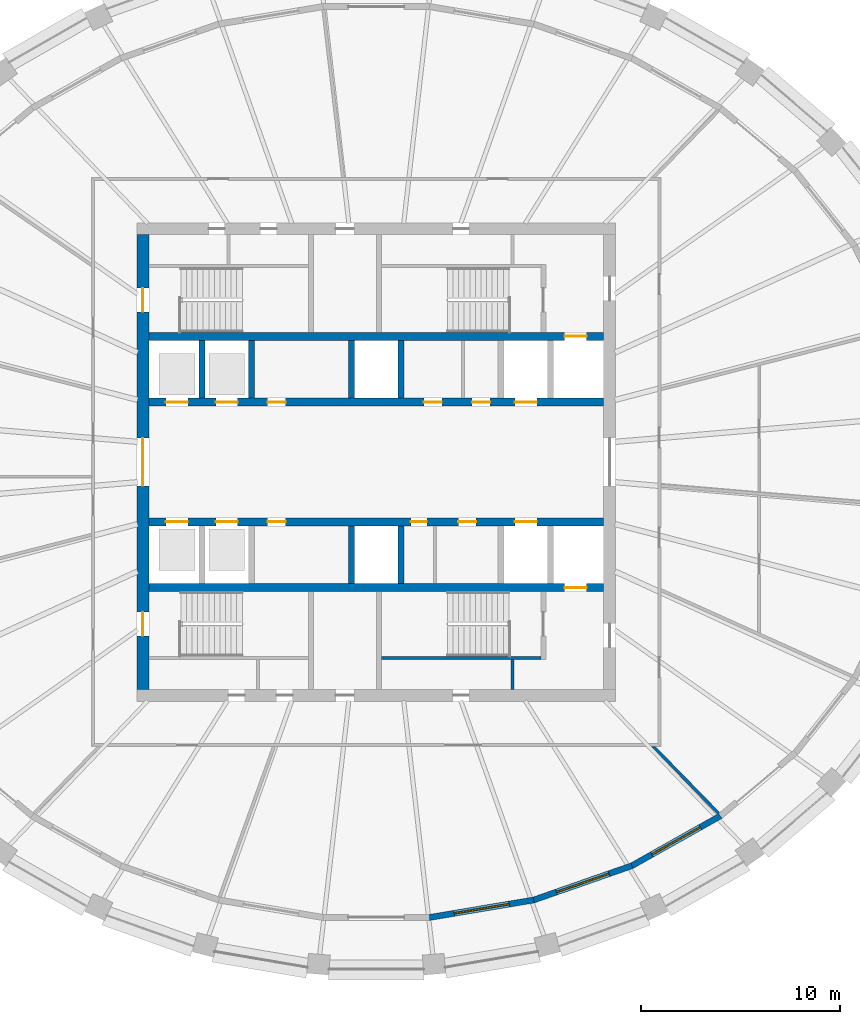
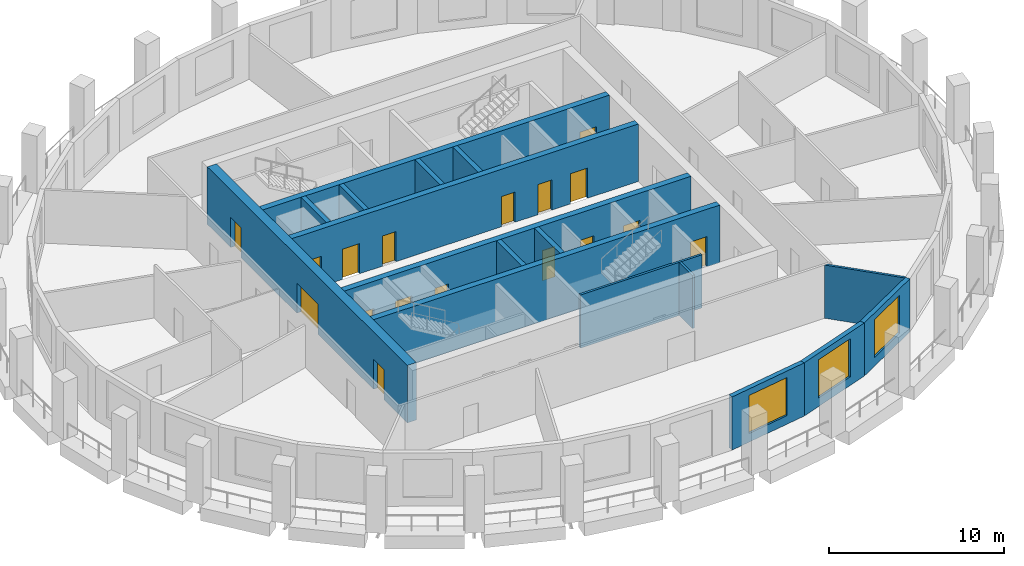
# One storey, part 4 of 10: 17 doors, 17 walls, 3 windows, 20 openings.
"""IFC4 building model written with IfcOpenShell, lengths in metres."""

from ifc_helpers import new_model, si_unit, direction, frame, frame_2d, origin, place, context, subcontext, project, spatial, polyline, rectangle, outline, extrude, material, layer, layer_set, type_object, element, fill, save


model = new_model("IFC4")

# Units and contexts
model_context = context("Model", 3, precision=1e-05, world=origin(), true_north=direction((0.0, 1.0)))
body_context = subcontext(model_context, "Body", "Model", "MODEL_VIEW")
ifc_project = project(units=[si_unit("LENGTHUNIT", "METRE"), si_unit("AREAUNIT", "SQUARE_METRE"), si_unit("VOLUMEUNIT", "CUBIC_METRE"), si_unit("PLANEANGLEUNIT", "RADIAN"), si_unit("MASSUNIT", "GRAM", prefix="KILO")], contexts=[model_context])

# Site, building, storey
site_placement = place(None, origin())
site = spatial("IfcSite", under=ifc_project, at=site_placement, CompositionType="ELEMENT")
building_placement = place(site_placement, origin())
building = spatial("IfcBuilding", under=site, at=building_placement, Name="Halqa Exchange Tower", CompositionType="ELEMENT")
storey_placement = place(building_placement, frame((0.0, 0.0, 276.300048828125)))
storey = spatial("IfcBuildingStorey", under=building, at=storey_placement, Name="L64", CompositionType="ELEMENT", Elevation=276.300048828125)

# Walls
ifc_material_1 = material(Name="Fire-rated gypsum board")
ifc_layer_1 = layer(ifc_material_1, 0.14990234375)
ifc_layer_set_1 = layer_set([ifc_layer_1], Name="Fire-rated gypsum board")
wall_type_1 = type_object("IfcWallType", Name="Fire partition EI 60 150", PredefinedType="PARTITIONING", material=ifc_layer_set_1)
wall_1_placement = place(storey_placement, frame((13.852294921875, -14.222900390625, 0.0), z_axis=(0.0, 0.0, 1.0), x_axis=(0.69820654799, -0.715896372629, 0.0)))
element("IfcWall", 1, at=wall_1_placement, inside=storey, type_object=wall_type_1, Name="L64-PWL-015", PredefinedType="PARTITIONING", context=body_context, shape_type="SweptSolid", body=[
    extrude(outline(polyline([(0.0, -0.074951171875), (1.577880859375, -0.074951171875), (3.156005859375, -0.074951171875), (4.73388671875, -0.074951171875), (4.73388671875, -0.07470703125), (4.73388671875, 0.074951171875), (3.20458984375, 0.074951171875), (1.67529296875, 0.074951171875), (0.14599609375, 0.074951171875), (0.0, -0.07470703125), (0.0, -0.074951171875)])), origin(), (0.0, 0.0, 1.0), 3.699951171875),
])
ifc_material_2 = material(Name="Gypsum board")
ifc_layer_2 = layer(ifc_material_2, 0.14990234375)
ifc_layer_set_2 = layer_set([ifc_layer_2], Name="Gypsum board")
wall_type_2 = type_object("IfcWallType", Name="Penthouse riser wall 150 gypsum", PredefinedType="PARTITIONING", material=ifc_layer_set_2)
wall_2_placement = place(storey_placement, frame((6.824951171875, -11.39990234375, 0.0), z_axis=(0.0, 0.0, 1.0), x_axis=(0.0, 1.0, 0.0)))
element("IfcWall", 2, at=wall_2_placement, inside=storey, type_object=wall_type_2, Name="Firefighting lobby west wall S", PredefinedType="PARTITIONING", context=body_context, shape_type="SweptSolid", body=[
    extrude(rectangle(XDim=1.5, YDim=0.14990234375, at=frame_2d((0.75, 0.0))), origin(), (0.0, 0.0, 1.0), 3.699951171875),
])
ifc_material_3 = material(Name="Concrete C60/75", Category="concrete")
ifc_layer_3 = layer(ifc_material_3, 0.300048828125)
ifc_layer_set_3 = layer_set([ifc_layer_3], Name="Concrete C60/75")
wall_type_3 = type_object("IfcWallType", Name="RC core wall 300", PredefinedType="SHEAR", material=ifc_layer_set_3)
for number, where, z_axis, x_axis, name in (
    (3, (-8.75, 3.199951171875, 0.0), (0.0, 0.0, 1.0), (0.0, 1.0, 0.0), "Shaft divider N1"),
    (4, (-6.25, 3.199951171875, 0.0), (0.0, 0.0, 1.0), (0.0, 1.0, 0.0), "Shaft divider N2"),
    (5, (-1.25, 3.199951171875, 0.0), (0.0, 0.0, 1.0), (0.0, 1.0, 0.0), "Shaft divider N4"),
    (6, (1.25, 3.199951171875, 0.0), (0.0, 0.0, 1.0), (0.0, 1.0, 0.0), "Shaft divider N5"),
    (7, (-1.25, -6.10009765625, 0.0), (0.0, 0.0, 1.0), (0.0, 1.0, 0.0), "Shaft divider S4"),
    (8, (1.25, -6.10009765625, 0.0), (0.0, 0.0, 1.0), (0.0, 1.0, 0.0), "Shaft divider S5"),
):
    element("IfcWall", number, at=place(storey_placement, frame(where, z_axis=z_axis, x_axis=x_axis)), inside=storey, type_object=wall_type_3, Name=name, PredefinedType="SHEAR", context=body_context, shape_type="SweptSolid", body=[
        extrude(rectangle(XDim=2.900146484375, YDim=0.300048828125, at=frame_2d((1.4501953125, 0.0))), origin(), (0.0, 0.0, 1.0), 4.0),
    ])

# Wall, openings, doors
ifc_layer_4 = layer(ifc_material_3, 0.39990234375)
ifc_layer_set_4 = layer_set([ifc_layer_4], Name="Concrete C60/75")
wall_type_4 = type_object("IfcWallType", Name="RC core wall 400 C60/75", PredefinedType="SHEAR", material=ifc_layer_set_4)
wall_3_placement = place(storey_placement, frame((-11.39990234375, 3.0, 0.0), z_axis=(0.0, 0.0, 1.0), x_axis=(1.0, 0.0, 0.0)))
wall_3 = element("IfcWall", 9, at=wall_3_placement, inside=storey, type_object=wall_type_4, Name="Lift row front wall N", PredefinedType="SHEAR", context=body_context, shape_type="SweptSolid", body=[
    extrude(rectangle(XDim=22.7998046875, YDim=0.39990234375, at=frame_2d((11.39990234375, 0.0))), origin(), (0.0, 0.0, 1.0), 4.0),
])
opening_1_placement = place(wall_3_placement, frame((0.85009765625, 0.0, 0.0)))
opening_1 = element("IfcOpeningElement", 10, at=opening_1_placement, cuts=wall_3, Name="Opening LD-HR1-T19", PredefinedType="OPENING", context=body_context, shape_type="SweptSolid", body=[
    extrude(rectangle(XDim=1.10009765625, YDim=2.10009765625, at=frame_2d((0.550048828125, 1.050048828125))), frame((0.0, 0.2119140625, 0.0), z_axis=(0.0, -1.0, 0.0), x_axis=(1.0, 0.0, 0.0)), (0.0, 0.0, 1.0), 0.423828125),
])
opening_2_placement = place(wall_3_placement, frame((3.35009765625, 0.0, 0.0)))
opening_2 = element("IfcOpeningElement", 11, at=opening_2_placement, cuts=wall_3, Name="Opening LD-HR2-T19", PredefinedType="OPENING", context=body_context, shape_type="SweptSolid", body=[
    extrude(rectangle(XDim=1.10009765625, YDim=2.10009765625, at=frame_2d((0.550048828125, 1.050048828125))), frame((0.0, 0.2119140625, 0.0), z_axis=(0.0, -1.0, 0.0), x_axis=(1.0, 0.0, 0.0)), (0.0, 0.0, 1.0), 0.423828125),
])
opening_3_placement = place(wall_3_placement, frame((18.35009765625, 0.0, 0.0)))
opening_3 = element("IfcOpeningElement", 12, at=opening_3_placement, cuts=wall_3, Name="Opening LD-SV1-T19", PredefinedType="OPENING", context=body_context, shape_type="SweptSolid", body=[
    extrude(rectangle(XDim=1.10009765625, YDim=2.10009765625, at=frame_2d((0.550048828125, 1.050048828125))), frame((0.0, 0.2119140625, 0.0), z_axis=(0.0, -1.0, 0.0), x_axis=(1.0, 0.0, 0.0)), (0.0, 0.0, 1.0), 0.423828125),
])
opening_4_placement = place(wall_3_placement, frame((13.78759765625, 0.0, 0.0)))
opening_4 = element("IfcOpeningElement", 13, at=opening_4_placement, cuts=wall_3, Name="Opening T19-C25", PredefinedType="OPENING", context=body_context, shape_type="SweptSolid", body=[
    extrude(rectangle(XDim=0.89990234375, YDim=2.10009765625, at=frame_2d((0.449951171875, 1.050048828125))), frame((0.0, 0.2119140625, 0.0), z_axis=(0.0, -1.0, 0.0), x_axis=(1.0, 0.0, 0.0)), (0.0, 0.0, 1.0), 0.423828125),
])
opening_5_placement = place(wall_3_placement, frame((16.21240234375, 0.0, 0.0)))
opening_5 = element("IfcOpeningElement", 14, at=opening_5_placement, cuts=wall_3, Name="Opening T19-C26", PredefinedType="OPENING", context=body_context, shape_type="SweptSolid", body=[
    extrude(rectangle(XDim=0.89990234375, YDim=2.10009765625, at=frame_2d((0.449951171875, 1.050048828125))), frame((0.0, 0.2119140625, 0.0), z_axis=(0.0, -1.0, 0.0), x_axis=(1.0, 0.0, 0.0)), (0.0, 0.0, 1.0), 0.423828125),
])
opening_6_placement = place(wall_3_placement, frame((5.949951171875, 0.0, 0.0)))
opening_6 = element("IfcOpeningElement", 15, at=opening_6_placement, cuts=wall_3, Name="Opening T19-C27", PredefinedType="OPENING", context=body_context, shape_type="SweptSolid", body=[
    extrude(rectangle(XDim=0.89990234375, YDim=2.10009765625, at=frame_2d((0.449951171875, 1.050048828125))), frame((0.0, 0.2119140625, 0.0), z_axis=(0.0, -1.0, 0.0), x_axis=(1.0, 0.0, 0.0)), (0.0, 0.0, 1.0), 0.423828125),
])
ifc_material_4 = material(Name="Timber fire door leaf", Category="wood")
door_type_1 = type_object("IfcDoorType", Name="Core room door FD30 900 x 2100", OperationType="SINGLE_SWING_LEFT", PredefinedType="DOOR", material=ifc_material_4)
door_1_placement = place(opening_4_placement, origin())
door_1 = element("IfcDoor", 16, at=door_1_placement, inside=storey, type_object=door_type_1, Name="Core room door", OperationType="SINGLE_SWING_LEFT", OverallHeight=2.10009765625, OverallWidth=0.89990234375, PredefinedType="DOOR", context=body_context, shape_type="SweptSolid", body=[
    extrude(rectangle(XDim=0.89990234375, YDim=2.10009765625, at=frame_2d((0.449951171875, 1.050048828125))), frame((0.0, 0.02490234375, 0.0), z_axis=(0.0, -1.0, 0.0), x_axis=(1.0, 0.0, 0.0)), (0.0, 0.0, 1.0), 0.050048828125),
])
fill(opening_4, door_1)
door_2_placement = place(opening_5_placement, origin())
door_2 = element("IfcDoor", 17, at=door_2_placement, inside=storey, type_object=door_type_1, Name="Core room door", OperationType="SINGLE_SWING_LEFT", OverallHeight=2.10009765625, OverallWidth=0.89990234375, PredefinedType="DOOR", context=body_context, shape_type="SweptSolid", body=[
    extrude(rectangle(XDim=0.89990234375, YDim=2.10009765625, at=frame_2d((0.449951171875, 1.050048828125))), frame((0.0, 0.02490234375, 0.0), z_axis=(0.0, -1.0, 0.0), x_axis=(1.0, 0.0, 0.0)), (0.0, 0.0, 1.0), 0.050048828125),
])
fill(opening_5, door_2)
door_3_placement = place(opening_6_placement, origin())
door_3 = element("IfcDoor", 18, at=door_3_placement, inside=storey, type_object=door_type_1, Name="Core room door", OperationType="SINGLE_SWING_RIGHT", OverallHeight=2.10009765625, OverallWidth=0.89990234375, PredefinedType="DOOR", context=body_context, shape_type="SweptSolid", body=[
    extrude(rectangle(XDim=0.89990234375, YDim=2.10009765625, at=frame_2d((0.449951171875, 1.050048828125))), frame((0.0, 0.02490234375, 0.0), z_axis=(0.0, -1.0, 0.0), x_axis=(1.0, 0.0, 0.0)), (0.0, 0.0, 1.0), 0.050048828125),
])
fill(opening_6, door_3)
ifc_material_5 = material(Name="Stainless steel", Category="steel")
door_type_2 = type_object("IfcDoorType", Name="Lift landing door 1100 x 2100", OperationType="SLIDING_TO_LEFT", PredefinedType="DOOR", material=ifc_material_5)
door_4_placement = place(opening_1_placement, origin())
door_4 = element("IfcDoor", 19, at=door_4_placement, inside=storey, type_object=door_type_2, Name="Lift landing door HR1", OperationType="SLIDING_TO_LEFT", OverallHeight=2.10009765625, OverallWidth=1.10009765625, PredefinedType="DOOR", context=body_context, shape_type="SweptSolid", body=[
    extrude(rectangle(XDim=1.10009765625, YDim=2.10009765625, at=frame_2d((0.550048828125, 1.050048828125))), frame((0.0, 0.02490234375, 0.0), z_axis=(0.0, -1.0, 0.0), x_axis=(1.0, 0.0, 0.0)), (0.0, 0.0, 1.0), 0.050048828125),
])
fill(opening_1, door_4)
door_5_placement = place(opening_2_placement, origin())
door_5 = element("IfcDoor", 20, at=door_5_placement, inside=storey, type_object=door_type_2, Name="Lift landing door HR2", OperationType="SLIDING_TO_LEFT", OverallHeight=2.10009765625, OverallWidth=1.10009765625, PredefinedType="DOOR", context=body_context, shape_type="SweptSolid", body=[
    extrude(rectangle(XDim=1.10009765625, YDim=2.10009765625, at=frame_2d((0.550048828125, 1.050048828125))), frame((0.0, 0.02490234375, 0.0), z_axis=(0.0, -1.0, 0.0), x_axis=(1.0, 0.0, 0.0)), (0.0, 0.0, 1.0), 0.050048828125),
])
fill(opening_2, door_5)
door_6_placement = place(opening_3_placement, origin())
door_6 = element("IfcDoor", 21, at=door_6_placement, inside=storey, type_object=door_type_2, Name="Lift landing door SV1", OperationType="SLIDING_TO_LEFT", OverallHeight=2.10009765625, OverallWidth=1.10009765625, PredefinedType="DOOR", context=body_context, shape_type="SweptSolid", body=[
    extrude(rectangle(XDim=1.10009765625, YDim=2.10009765625, at=frame_2d((0.550048828125, 1.050048828125))), frame((0.0, 0.02490234375, 0.0), z_axis=(0.0, -1.0, 0.0), x_axis=(1.0, 0.0, 0.0)), (0.0, 0.0, 1.0), 0.050048828125),
])
fill(opening_3, door_6)

# Wall, opening, door
wall_4_placement = place(storey_placement, frame((-11.39990234375, 6.300048828125, 0.0), z_axis=(0.0, 0.0, 1.0), x_axis=(1.0, 0.0, 0.0)))
wall_4 = element("IfcWall", 22, at=wall_4_placement, inside=storey, type_object=wall_type_4, Name="Lift row back wall N", PredefinedType="SHEAR", context=body_context, shape_type="SweptSolid", body=[
    extrude(rectangle(XDim=22.7998046875, YDim=0.39990234375, at=frame_2d((11.39990234375, 0.0))), origin(), (0.0, 0.0, 1.0), 4.0),
])
opening_7_placement = place(wall_4_placement, frame((20.85009765625, 0.0, 0.0)))
opening_7 = element("IfcOpeningElement", 23, at=opening_7_placement, cuts=wall_4, Name="Opening LD-FF1-T19", PredefinedType="OPENING", context=body_context, shape_type="SweptSolid", body=[
    extrude(rectangle(XDim=1.10009765625, YDim=2.10009765625, at=frame_2d((0.550048828125, 1.050048828125))), frame((0.0, 0.2119140625, 0.0), z_axis=(0.0, -1.0, 0.0), x_axis=(1.0, 0.0, 0.0)), (0.0, 0.0, 1.0), 0.423828125),
])
door_7_placement = place(opening_7_placement, origin())
door_7 = element("IfcDoor", 24, at=door_7_placement, inside=storey, type_object=door_type_2, Name="Lift landing door FF1", OperationType="SLIDING_TO_LEFT", OverallHeight=2.10009765625, OverallWidth=1.10009765625, PredefinedType="DOOR", context=body_context, shape_type="SweptSolid", body=[
    extrude(rectangle(XDim=1.10009765625, YDim=2.10009765625, at=frame_2d((0.550048828125, 1.050048828125))), frame((0.0, 0.02490234375, 0.0), z_axis=(0.0, -1.0, 0.0), x_axis=(1.0, 0.0, 0.0)), (0.0, 0.0, 1.0), 0.050048828125),
])
fill(opening_7, door_7)

# Wall, openings, doors
wall_5_placement = place(storey_placement, frame((-11.39990234375, -3.0, 0.0), z_axis=(0.0, 0.0, 1.0), x_axis=(1.0, 0.0, 0.0)))
wall_5 = element("IfcWall", 25, at=wall_5_placement, inside=storey, type_object=wall_type_4, Name="Lift row front wall S", PredefinedType="SHEAR", context=body_context, shape_type="SweptSolid", body=[
    extrude(rectangle(XDim=22.7998046875, YDim=0.39990234375, at=frame_2d((11.39990234375, 0.0))), origin(), (0.0, 0.0, 1.0), 4.0),
])
opening_8_placement = place(wall_5_placement, frame((0.85009765625, 0.0, 0.0)))
opening_8 = element("IfcOpeningElement", 26, at=opening_8_placement, cuts=wall_5, Name="Opening LD-HR3-T19", PredefinedType="OPENING", context=body_context, shape_type="SweptSolid", body=[
    extrude(rectangle(XDim=1.10009765625, YDim=2.10009765625, at=frame_2d((0.550048828125, 1.050048828125))), frame((0.0, 0.2119140625, 0.0), z_axis=(0.0, -1.0, 0.0), x_axis=(1.0, 0.0, 0.0)), (0.0, 0.0, 1.0), 0.423828125),
])
opening_9_placement = place(wall_5_placement, frame((3.35009765625, 0.0, 0.0)))
opening_9 = element("IfcOpeningElement", 27, at=opening_9_placement, cuts=wall_5, Name="Opening LD-HR4-T19", PredefinedType="OPENING", context=body_context, shape_type="SweptSolid", body=[
    extrude(rectangle(XDim=1.10009765625, YDim=2.10009765625, at=frame_2d((0.550048828125, 1.050048828125))), frame((0.0, 0.2119140625, 0.0), z_axis=(0.0, -1.0, 0.0), x_axis=(1.0, 0.0, 0.0)), (0.0, 0.0, 1.0), 0.423828125),
])
opening_10_placement = place(wall_5_placement, frame((18.35009765625, 0.0, 0.0)))
opening_10 = element("IfcOpeningElement", 28, at=opening_10_placement, cuts=wall_5, Name="Opening LD-SV2-T19", PredefinedType="OPENING", context=body_context, shape_type="SweptSolid", body=[
    extrude(rectangle(XDim=1.10009765625, YDim=2.10009765625, at=frame_2d((0.550048828125, 1.050048828125))), frame((0.0, 0.2119140625, 0.0), z_axis=(0.0, -1.0, 0.0), x_axis=(1.0, 0.0, 0.0)), (0.0, 0.0, 1.0), 0.423828125),
])
opening_11_placement = place(wall_5_placement, frame((13.137451171875, 0.0, 0.0)))
opening_11 = element("IfcOpeningElement", 29, at=opening_11_placement, cuts=wall_5, Name="Opening T19-C28", PredefinedType="OPENING", context=body_context, shape_type="SweptSolid", body=[
    extrude(rectangle(XDim=0.800048828125, YDim=2.10009765625, at=frame_2d((0.39990234375, 1.050048828125))), frame((0.0, 0.2119140625, 0.0), z_axis=(0.0, -1.0, 0.0), x_axis=(1.0, 0.0, 0.0)), (0.0, 0.0, 1.0), 0.423828125),
])
opening_12_placement = place(wall_5_placement, frame((15.512451171875, 0.0, 0.0)))
opening_12 = element("IfcOpeningElement", 30, at=opening_12_placement, cuts=wall_5, Name="Opening T19-C29", PredefinedType="OPENING", context=body_context, shape_type="SweptSolid", body=[
    extrude(rectangle(XDim=0.89990234375, YDim=2.10009765625, at=frame_2d((0.449951171875, 1.050048828125))), frame((0.0, 0.2119140625, 0.0), z_axis=(0.0, -1.0, 0.0), x_axis=(1.0, 0.0, 0.0)), (0.0, 0.0, 1.0), 0.423828125),
])
opening_13_placement = place(wall_5_placement, frame((5.949951171875, 0.0, 0.0)))
opening_13 = element("IfcOpeningElement", 31, at=opening_13_placement, cuts=wall_5, Name="Opening T19-C30", PredefinedType="OPENING", context=body_context, shape_type="SweptSolid", body=[
    extrude(rectangle(XDim=0.89990234375, YDim=2.10009765625, at=frame_2d((0.449951171875, 1.050048828125))), frame((0.0, 0.2119140625, 0.0), z_axis=(0.0, -1.0, 0.0), x_axis=(1.0, 0.0, 0.0)), (0.0, 0.0, 1.0), 0.423828125),
])
door_8_placement = place(opening_12_placement, frame((0.89990234375, 0.0, 0.0), z_axis=(0.0, 0.0, 1.0), x_axis=(-1.0, 0.0, 0.0)))
door_8 = element("IfcDoor", 32, at=door_8_placement, inside=storey, type_object=door_type_1, Name="Core room door", OperationType="SINGLE_SWING_LEFT", OverallHeight=2.10009765625, OverallWidth=0.89990234375, PredefinedType="DOOR", context=body_context, shape_type="SweptSolid", body=[
    extrude(rectangle(XDim=0.89990234375, YDim=2.10009765625, at=frame_2d((0.449951171875, 1.050048828125))), frame((0.0, 0.02490234375, 0.0), z_axis=(0.0, -1.0, 0.0), x_axis=(1.0, 0.0, 0.0)), (0.0, 0.0, 1.0), 0.050048828125),
])
fill(opening_12, door_8)
door_9_placement = place(opening_13_placement, frame((0.89990234375, 0.0, 0.0), z_axis=(0.0, 0.0, 1.0), x_axis=(-1.0, 0.0, 0.0)))
door_9 = element("IfcDoor", 33, at=door_9_placement, inside=storey, type_object=door_type_1, Name="Core room door", OperationType="SINGLE_SWING_LEFT", OverallHeight=2.10009765625, OverallWidth=0.89990234375, PredefinedType="DOOR", context=body_context, shape_type="SweptSolid", body=[
    extrude(rectangle(XDim=0.89990234375, YDim=2.10009765625, at=frame_2d((0.449951171875, 1.050048828125))), frame((0.0, 0.02490234375, 0.0), z_axis=(0.0, -1.0, 0.0), x_axis=(1.0, 0.0, 0.0)), (0.0, 0.0, 1.0), 0.050048828125),
])
fill(opening_13, door_9)
door_10_placement = place(opening_8_placement, origin())
door_10 = element("IfcDoor", 34, at=door_10_placement, inside=storey, type_object=door_type_2, Name="Lift landing door HR3", OperationType="SLIDING_TO_LEFT", OverallHeight=2.10009765625, OverallWidth=1.10009765625, PredefinedType="DOOR", context=body_context, shape_type="SweptSolid", body=[
    extrude(rectangle(XDim=1.10009765625, YDim=2.10009765625, at=frame_2d((0.550048828125, 1.050048828125))), frame((0.0, 0.02490234375, 0.0), z_axis=(0.0, -1.0, 0.0), x_axis=(1.0, 0.0, 0.0)), (0.0, 0.0, 1.0), 0.050048828125),
])
fill(opening_8, door_10)
door_11_placement = place(opening_9_placement, origin())
door_11 = element("IfcDoor", 35, at=door_11_placement, inside=storey, type_object=door_type_2, Name="Lift landing door HR4", OperationType="SLIDING_TO_LEFT", OverallHeight=2.10009765625, OverallWidth=1.10009765625, PredefinedType="DOOR", context=body_context, shape_type="SweptSolid", body=[
    extrude(rectangle(XDim=1.10009765625, YDim=2.10009765625, at=frame_2d((0.550048828125, 1.050048828125))), frame((0.0, 0.02490234375, 0.0), z_axis=(0.0, -1.0, 0.0), x_axis=(1.0, 0.0, 0.0)), (0.0, 0.0, 1.0), 0.050048828125),
])
fill(opening_9, door_11)
door_12_placement = place(opening_10_placement, origin())
door_12 = element("IfcDoor", 36, at=door_12_placement, inside=storey, type_object=door_type_2, Name="Lift landing door SV2", OperationType="SLIDING_TO_LEFT", OverallHeight=2.10009765625, OverallWidth=1.10009765625, PredefinedType="DOOR", context=body_context, shape_type="SweptSolid", body=[
    extrude(rectangle(XDim=1.10009765625, YDim=2.10009765625, at=frame_2d((0.550048828125, 1.050048828125))), frame((0.0, 0.02490234375, 0.0), z_axis=(0.0, -1.0, 0.0), x_axis=(1.0, 0.0, 0.0)), (0.0, 0.0, 1.0), 0.050048828125),
])
fill(opening_10, door_12)
ifc_material_6 = material(Name="Steel fire door leaf", Category="steel")
door_type_3 = type_object("IfcDoorType", Name="Riser door FD60 800 x 2100", OperationType="SINGLE_SWING_LEFT", PredefinedType="DOOR", material=ifc_material_6)
door_13_placement = place(opening_11_placement, frame((0.800048828125, 0.0, 0.0), z_axis=(0.0, 0.0, 1.0), x_axis=(-1.0, 0.0, 0.0)))
door_13 = element("IfcDoor", 37, at=door_13_placement, inside=storey, type_object=door_type_3, Name="Core room door", OperationType="SINGLE_SWING_LEFT", OverallHeight=2.10009765625, OverallWidth=0.800048828125, PredefinedType="DOOR", context=body_context, shape_type="SweptSolid", body=[
    extrude(rectangle(XDim=0.800048828125, YDim=2.10009765625, at=frame_2d((0.39990234375, 1.050048828125))), frame((0.0, 0.02490234375, 0.0), z_axis=(0.0, -1.0, 0.0), x_axis=(1.0, 0.0, 0.0)), (0.0, 0.0, 1.0), 0.050048828125),
])
fill(opening_11, door_13)

# Wall, opening, door
wall_6_placement = place(storey_placement, frame((-11.39990234375, -6.300048828125, 0.0), z_axis=(0.0, 0.0, 1.0), x_axis=(1.0, 0.0, 0.0)))
wall_6 = element("IfcWall", 38, at=wall_6_placement, inside=storey, type_object=wall_type_4, Name="Lift row back wall S", PredefinedType="SHEAR", context=body_context, shape_type="SweptSolid", body=[
    extrude(rectangle(XDim=22.7998046875, YDim=0.39990234375, at=frame_2d((11.39990234375, 0.0))), origin(), (0.0, 0.0, 1.0), 4.0),
])
opening_14_placement = place(wall_6_placement, frame((20.85009765625, 0.0, 0.0)))
opening_14 = element("IfcOpeningElement", 39, at=opening_14_placement, cuts=wall_6, Name="Opening LD-FF2-T19", PredefinedType="OPENING", context=body_context, shape_type="SweptSolid", body=[
    extrude(rectangle(XDim=1.10009765625, YDim=2.10009765625, at=frame_2d((0.550048828125, 1.050048828125))), frame((0.0, 0.2119140625, 0.0), z_axis=(0.0, -1.0, 0.0), x_axis=(1.0, 0.0, 0.0)), (0.0, 0.0, 1.0), 0.423828125),
])
door_14_placement = place(opening_14_placement, origin())
door_14 = element("IfcDoor", 40, at=door_14_placement, inside=storey, type_object=door_type_2, Name="Lift landing door FF2", OperationType="SLIDING_TO_LEFT", OverallHeight=2.10009765625, OverallWidth=1.10009765625, PredefinedType="DOOR", context=body_context, shape_type="SweptSolid", body=[
    extrude(rectangle(XDim=1.10009765625, YDim=2.10009765625, at=frame_2d((0.550048828125, 1.050048828125))), frame((0.0, 0.02490234375, 0.0), z_axis=(0.0, -1.0, 0.0), x_axis=(1.0, 0.0, 0.0)), (0.0, 0.0, 1.0), 0.050048828125),
])
fill(opening_14, door_14)

# Wall, openings, doors
ifc_layer_5 = layer(ifc_material_3, 0.60009765625)
ifc_layer_set_5 = layer_set([ifc_layer_5], Name="Concrete C60/75")
wall_type_5 = type_object("IfcWallType", Name="RC core wall 600 C60/75", PredefinedType="SHEAR", material=ifc_layer_set_5)
wall_7_placement = place(storey_placement, frame((-11.699951171875, -11.39990234375, 0.0), z_axis=(0.0, 0.0, 1.0), x_axis=(0.0, 1.0, 0.0)))
wall_7 = element("IfcWall", 41, at=wall_7_placement, inside=storey, type_object=wall_type_5, Name="Core wall west", PredefinedType="SHEAR", context=body_context, shape_type="SweptSolid", body=[
    extrude(rectangle(XDim=22.7998046875, YDim=0.60009765625, at=frame_2d((11.39990234375, 0.0))), origin(), (0.0, 0.0, 1.0), 4.0),
])
opening_15_placement = place(wall_7_placement, frame((10.199951171875, 0.0, 0.0)))
opening_15 = element("IfcOpeningElement", 42, at=opening_15_placement, cuts=wall_7, Name="Opening T19-C09", PredefinedType="OPENING", context=body_context, shape_type="SweptSolid", body=[
    extrude(rectangle(XDim=2.39990234375, YDim=2.10009765625, at=frame_2d((1.199951171875, 1.050048828125))), frame((0.0, 0.31201171875, 0.0), z_axis=(0.0, -1.0, 0.0), x_axis=(1.0, 0.0, 0.0)), (0.0, 0.0, 1.0), 0.6240234375),
])
opening_16_placement = place(wall_7_placement, frame((18.925048828125, 0.0, 0.0)))
opening_16 = element("IfcOpeningElement", 43, at=opening_16_placement, cuts=wall_7, Name="Opening T19-C11", PredefinedType="OPENING", context=body_context, shape_type="SweptSolid", body=[
    extrude(rectangle(XDim=1.199951171875, YDim=2.10009765625, at=frame_2d((0.60009765625, 1.050048828125))), frame((0.0, 0.31201171875, 0.0), z_axis=(0.0, -1.0, 0.0), x_axis=(1.0, 0.0, 0.0)), (0.0, 0.0, 1.0), 0.6240234375),
])
opening_17_placement = place(wall_7_placement, frame((2.675048828125, 0.0, 0.0)))
opening_17 = element("IfcOpeningElement", 44, at=opening_17_placement, cuts=wall_7, Name="Opening T19-C13", PredefinedType="OPENING", context=body_context, shape_type="SweptSolid", body=[
    extrude(rectangle(XDim=1.199951171875, YDim=2.10009765625, at=frame_2d((0.60009765625, 1.050048828125))), frame((0.0, 0.31201171875, 0.0), z_axis=(0.0, -1.0, 0.0), x_axis=(1.0, 0.0, 0.0)), (0.0, 0.0, 1.0), 0.6240234375),
])
door_type_4 = type_object("IfcDoorType", Name="Lobby double door FD60 2400 x 2100", OperationType="DOUBLE_DOOR_SINGLE_SWING", PredefinedType="DOOR", material=ifc_material_6)
door_15_placement = place(opening_15_placement, frame((2.39990234375, 0.0, 0.0), z_axis=(0.0, 0.0, 1.0), x_axis=(-1.0, 0.0, 0.0)))
door_15 = element("IfcDoor", 45, at=door_15_placement, inside=storey, type_object=door_type_4, Name="Lift lobby double door", OperationType="DOUBLE_DOOR_SINGLE_SWING", OverallHeight=2.10009765625, OverallWidth=2.39990234375, PredefinedType="DOOR", context=body_context, shape_type="SweptSolid", body=[
    extrude(rectangle(XDim=2.39990234375, YDim=2.10009765625, at=frame_2d((1.199951171875, 1.050048828125))), frame((0.0, 0.02490234375, 0.0), z_axis=(0.0, -1.0, 0.0), x_axis=(1.0, 0.0, 0.0)), (0.0, 0.0, 1.0), 0.050048828125),
])
fill(opening_15, door_15)
door_type_5 = type_object("IfcDoorType", Name="Stair door FD90 1200 x 2100", OperationType="SINGLE_SWING_LEFT", PredefinedType="DOOR", material=ifc_material_6)
door_16_placement = place(opening_16_placement, frame((1.199951171875, 0.0, 0.0), z_axis=(0.0, 0.0, 1.0), x_axis=(-1.0, 0.0, 0.0)))
door_16 = element("IfcDoor", 46, at=door_16_placement, inside=storey, type_object=door_type_5, Name="Stair door ST1", OperationType="SINGLE_SWING_RIGHT", OverallHeight=2.10009765625, OverallWidth=1.199951171875, PredefinedType="DOOR", context=body_context, shape_type="SweptSolid", body=[
    extrude(rectangle(XDim=1.199951171875, YDim=2.10009765625, at=frame_2d((0.60009765625, 1.050048828125))), frame((0.0, 0.02490234375, 0.0), z_axis=(0.0, -1.0, 0.0), x_axis=(1.0, 0.0, 0.0)), (0.0, 0.0, 1.0), 0.050048828125),
])
fill(opening_16, door_16)
door_17_placement = place(opening_17_placement, frame((1.199951171875, 0.0, 0.0), z_axis=(0.0, 0.0, 1.0), x_axis=(-1.0, 0.0, 0.0)))
door_17 = element("IfcDoor", 47, at=door_17_placement, inside=storey, type_object=door_type_5, Name="Stair door ST3", OperationType="SINGLE_SWING_RIGHT", OverallHeight=2.10009765625, OverallWidth=1.199951171875, PredefinedType="DOOR", context=body_context, shape_type="SweptSolid", body=[
    extrude(rectangle(XDim=1.199951171875, YDim=2.10009765625, at=frame_2d((0.60009765625, 1.050048828125))), frame((0.0, 0.02490234375, 0.0), z_axis=(0.0, -1.0, 0.0), x_axis=(1.0, 0.0, 0.0)), (0.0, 0.0, 1.0), 0.050048828125),
])
fill(opening_17, door_17)

# Wall
ifc_material_7 = material(Name="Concrete C30/37", Category="concrete")
ifc_layer_6 = layer(ifc_material_7, 0.14990234375)
ifc_layer_set_6 = layer_set([ifc_layer_6], Name="Concrete C30/37")
wall_type_6 = type_object("IfcWallType", Name="RC stair wall 150 C30/37", PredefinedType="SHEAR", material=ifc_layer_set_6)
wall_8_placement = place(storey_placement, frame((0.25, -9.824951171875, 0.0), z_axis=(0.0, 0.0, 1.0), x_axis=(1.0, 0.0, 0.0)))
element("IfcWall", 48, at=wall_8_placement, inside=storey, type_object=wall_type_6, Name="Stair ST2 north wall S", PredefinedType="SHEAR", context=body_context, shape_type="SweptSolid", body=[
    extrude(rectangle(XDim=8.0, YDim=0.14990234375, at=frame_2d((4.0, 0.0))), origin(), (0.0, 0.0, 1.0), 3.699951171875),
])

# Wall, opening, window
ifc_material_8 = material(Name="Limestone cladding", Category="masonry")
ifc_layer_7 = layer(ifc_material_8, 0.0400390625)
ifc_material_9 = material(Name="Ventilated cavity")
ifc_layer_8 = layer(ifc_material_9, 0.030029296875, ventilated=True)
ifc_material_10 = material(Name="Mineral wool insulation")
ifc_layer_9 = layer(ifc_material_10, 0.10009765625)
ifc_layer_10 = layer(ifc_material_7, 0.10009765625)
ifc_material_11 = material(Name="Internal plaster")
ifc_layer_11 = layer(ifc_material_11, 0.030029296875)
ifc_layer_set_7 = layer_set([ifc_layer_7, ifc_layer_8, ifc_layer_9, ifc_layer_10, ifc_layer_11], Name="Stone-faced insulated wall 300")
wall_type_7 = type_object("IfcWallType", Name="Stone-faced insulated wall 300", PredefinedType="STANDARD", material=ifc_layer_set_7)
wall_9_placement = place(storey_placement, frame((2.665771484375, -22.841796875, 0.0), z_axis=(0.0, 0.0, 1.0), x_axis=(0.986250435411, 0.165257612993, 0.0)))
wall_9 = element("IfcWall", 49, at=wall_9_placement, inside=storey, type_object=wall_type_7, Name="Glass-line wall 25", PredefinedType="STANDARD", context=body_context, shape_type="SweptSolid", body=[
    extrude(outline(polyline([(-0.012451171875, -0.14990234375), (5.31494140625, -0.14990234375), (5.28955078125, 0.14990234375), (0.012451171875, 0.14990234375), (-0.012451171875, -0.14990234375)])), origin(), (0.0, 0.0, 1.0), 3.699951171875),
])
opening_18_placement = place(wall_9_placement, frame((1.2509765625, 0.0, 0.60009765625)))
opening_18 = element("IfcOpeningElement", 50, at=opening_18_placement, cuts=wall_9, Name="Opening W-F4-25", PredefinedType="OPENING", context=body_context, shape_type="SweptSolid", body=[
    extrude(rectangle(XDim=2.800048828125, YDim=2.64990234375, at=frame_2d((1.39990234375, 1.324951171875))), frame((0.0, 0.162109375, 0.0), z_axis=(0.0, -1.0, 0.0), x_axis=(1.0, 0.0, 0.0)), (0.0, 0.0, 1.0), 0.323974609375),
])
ifc_material_12 = material(Name="Clear low-emissivity glass in aluminium frame", Category="aluminium")
window_type = type_object("IfcWindowType", Name="Fixed clear glazed window 2800 x 2650", PartitioningType="DOUBLE_PANEL_VERTICAL", PredefinedType="WINDOW", material=ifc_material_12)
window_1_placement = place(opening_18_placement, origin())
window_1 = element("IfcWindow", 51, at=window_1_placement, inside=storey, type_object=window_type, Name="Window 4", OverallHeight=2.64990234375, OverallWidth=2.800048828125, PartitioningType="DOUBLE_PANEL_VERTICAL", PredefinedType="WINDOW", context=body_context, shape_type="SweptSolid", body=[
    extrude(rectangle(XDim=2.800048828125, YDim=2.64990234375, at=frame_2d((1.39990234375, 1.324951171875))), frame((0.0, 0.030029296875, 0.0), z_axis=(0.0, -1.0, 0.0), x_axis=(1.0, 0.0, 0.0)), (0.0, 0.0, 1.0), 0.06005859375),
])
fill(opening_18, window_1)

wall_10_placement = place(storey_placement, frame((7.89501953125, -21.965576171875, 0.0), z_axis=(0.0, 0.0, 1.0), x_axis=(0.9441693858, 0.329460423904, 0.0)))
wall_10 = element("IfcWall", 52, at=wall_10_placement, inside=storey, type_object=wall_type_7, Name="Glass-line wall 26", PredefinedType="STANDARD", context=body_context, shape_type="SweptSolid", body=[
    extrude(outline(polyline([(-0.0126953125, -0.14990234375), (5.231689453125, -0.14990234375), (5.204833984375, 0.14990234375), (0.0126953125, 0.14990234375), (-0.0126953125, -0.14990234375)])), origin(), (0.0, 0.0, 1.0), 3.699951171875),
])
opening_19_placement = place(wall_10_placement, frame((1.209228515625, 0.0, 0.60009765625)))
opening_19 = element("IfcOpeningElement", 53, at=opening_19_placement, cuts=wall_10, Name="Opening W-F4-26", PredefinedType="OPENING", context=body_context, shape_type="SweptSolid", body=[
    extrude(rectangle(XDim=2.800048828125, YDim=2.64990234375, at=frame_2d((1.39990234375, 1.324951171875))), frame((0.0, 0.162109375, 0.0), z_axis=(0.0, -1.0, 0.0), x_axis=(1.0, 0.0, 0.0)), (0.0, 0.0, 1.0), 0.323974609375),
])
window_2_placement = place(opening_19_placement, origin())
window_2 = element("IfcWindow", 54, at=window_2_placement, inside=storey, type_object=window_type, Name="Window 4", OverallHeight=2.64990234375, OverallWidth=2.800048828125, PartitioningType="DOUBLE_PANEL_VERTICAL", PredefinedType="WINDOW", context=body_context, shape_type="SweptSolid", body=[
    extrude(rectangle(XDim=2.800048828125, YDim=2.64990234375, at=frame_2d((1.39990234375, 1.324951171875))), frame((0.0, 0.030029296875, 0.0), z_axis=(0.0, -1.0, 0.0), x_axis=(1.0, 0.0, 0.0)), (0.0, 0.0, 1.0), 0.06005859375),
])
fill(opening_19, window_2)

wall_11_placement = place(storey_placement, frame((12.822021484375, -20.246337890625, 0.0), z_axis=(0.0, 0.0, 1.0), x_axis=(0.871433320402, 0.490513983585, 0.0)))
wall_11 = element("IfcWall", 55, at=wall_11_placement, inside=storey, type_object=wall_type_7, Name="Glass-line wall 27", PredefinedType="STANDARD", context=body_context, shape_type="SweptSolid", body=[
    extrude(outline(polyline([(-0.013427734375, -0.14990234375), (5.1044921875, -0.14990234375), (5.076171875, 0.14990234375), (0.013427734375, 0.14990234375), (-0.013427734375, -0.14990234375)])), origin(), (0.0, 0.0, 1.0), 3.699951171875),
])
opening_20_placement = place(wall_11_placement, frame((1.14501953125, 0.0, 0.60009765625)))
opening_20 = element("IfcOpeningElement", 56, at=opening_20_placement, cuts=wall_11, Name="Opening W-F4-27", PredefinedType="OPENING", context=body_context, shape_type="SweptSolid", body=[
    extrude(rectangle(XDim=2.800048828125, YDim=2.64990234375, at=frame_2d((1.39990234375, 1.324951171875))), frame((0.0, 0.162109375, 0.0), z_axis=(0.0, -1.0, 0.0), x_axis=(1.0, 0.0, 0.0)), (0.0, 0.0, 1.0), 0.323974609375),
])
window_3_placement = place(opening_20_placement, origin())
window_3 = element("IfcWindow", 57, at=window_3_placement, inside=storey, type_object=window_type, Name="Window 4", OverallHeight=2.64990234375, OverallWidth=2.800048828125, PartitioningType="DOUBLE_PANEL_VERTICAL", PredefinedType="WINDOW", context=body_context, shape_type="SweptSolid", body=[
    extrude(rectangle(XDim=2.800048828125, YDim=2.64990234375, at=frame_2d((1.39990234375, 1.324951171875))), frame((0.0, 0.030029296875, 0.0), z_axis=(0.0, -1.0, 0.0), x_axis=(1.0, 0.0, 0.0)), (0.0, 0.0, 1.0), 0.06005859375),
])
fill(opening_20, window_3)

save(model, "model.ifc")
